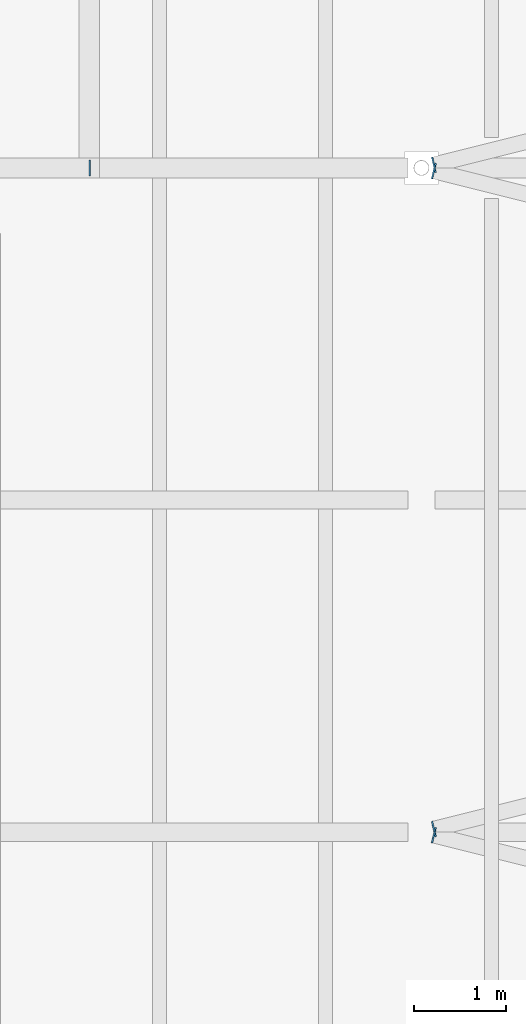
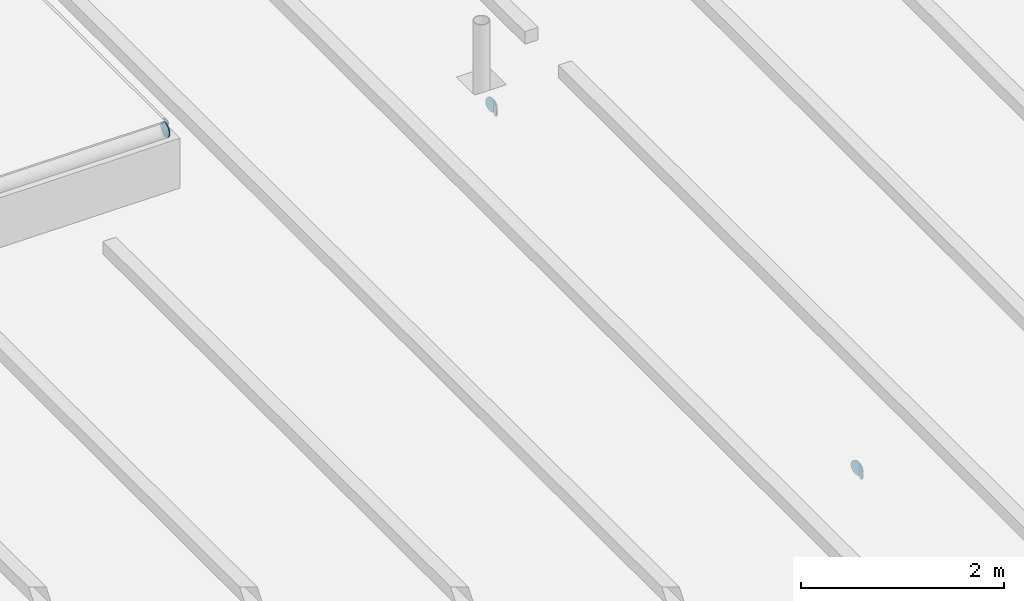
# One storey, part 83 of 120: 5 discrete accessories.
"""IFC4 building model written with IfcOpenShell, lengths in metres."""

from ifc_helpers import new_model, si_unit, direction, frame, origin, origin_2d, place, context, subcontext, project, spatial, circle, extrude, material, layer, layer_set, type_object, element, save


model = new_model("IFC4")

# Units and contexts
model_context = context("Model", 3, precision=1e-05, world=origin(), true_north=direction((0.0, 1.0)))
body_context = subcontext(model_context, "Body", "Model", "MODEL_VIEW")
ifc_project = project(units=[si_unit("LENGTHUNIT", "METRE"), si_unit("AREAUNIT", "SQUARE_METRE"), si_unit("VOLUMEUNIT", "CUBIC_METRE"), si_unit("PLANEANGLEUNIT", "RADIAN"), si_unit("MASSUNIT", "GRAM", prefix="KILO")], contexts=[model_context])

# Site, building, storey
site_placement = place(None, origin())
site = spatial("IfcSite", under=ifc_project, at=site_placement, CompositionType="ELEMENT")
building_placement = place(site_placement, origin())
building = spatial("IfcBuilding", under=site, at=building_placement, Name="Kupolbacken Congress Centre", CompositionType="ELEMENT")
storey_placement = place(building_placement, frame((0.0, 0.0, 21.60009765625)))
storey = spatial("IfcBuildingStorey", under=building, at=storey_placement, Name="L06", CompositionType="ELEMENT", Elevation=21.60009765625)

# Discrete accessories
ifc_material = material(Name="Steel S355", Category="steel")
ifc_layer = layer(ifc_material, 0.011962890625)
ifc_layer_set = layer_set([ifc_layer], Name="Steel S355")
discrete_accessory_type = type_object("IfcDiscreteAccessoryType", Name="EC2 tube end cap plate 168 dia x 12", PredefinedType="BRACKET", material=ifc_layer_set)
for number, where, z_axis, x_axis, name in (
    (1, (122.540771484375, 89.96484375, -0.084228515625), (-0.970142500145, 0.242535625036, 0.0), (-0.242535625036, -0.970142500145, 0.0), "End cap plate HR/RB/03-12 B"),
    (2, (122.540771484375, 90.03515625, -0.084228515625), (-0.970142500145, -0.242535625036, 0.0), (0.242535625036, -0.970142500145, 0.0), "End cap plate HR/RB/03-13 A"),
    (3, (122.540771484375, 97.164794921875, -0.084228515625), (-0.970142500145, 0.242535625036, 0.0), (-0.242535625036, -0.970142500145, 0.0), "End cap plate HR/RB/03-14 B"),
    (4, (122.540771484375, 97.235107421875, -0.084228515625), (-0.974732318528, -0.223376156329, 0.0), (0.223376156329, -0.974732318528, 0.0), "End cap plate HR/RB/03-15 A"),
    (5, (118.800048828125, 97.199951171875, 0.944091796875), (1.0, 0.0, 0.0), (0.0, 1.0, 0.0), "End cap plate RD/RL3/FS B"),
):
    element("IfcDiscreteAccessory", number, at=place(storey_placement, frame(where, z_axis=z_axis, x_axis=x_axis)), inside=storey, type_object=discrete_accessory_type, Name=name, PredefinedType="BRACKET", context=body_context, shape_type="SweptSolid", body=[
        extrude(circle(Radius=0.084228515625, at=origin_2d()), origin(), (0.0, 0.0, 1.0), 0.011962890625),
    ])

save(model, "model.ifc")
